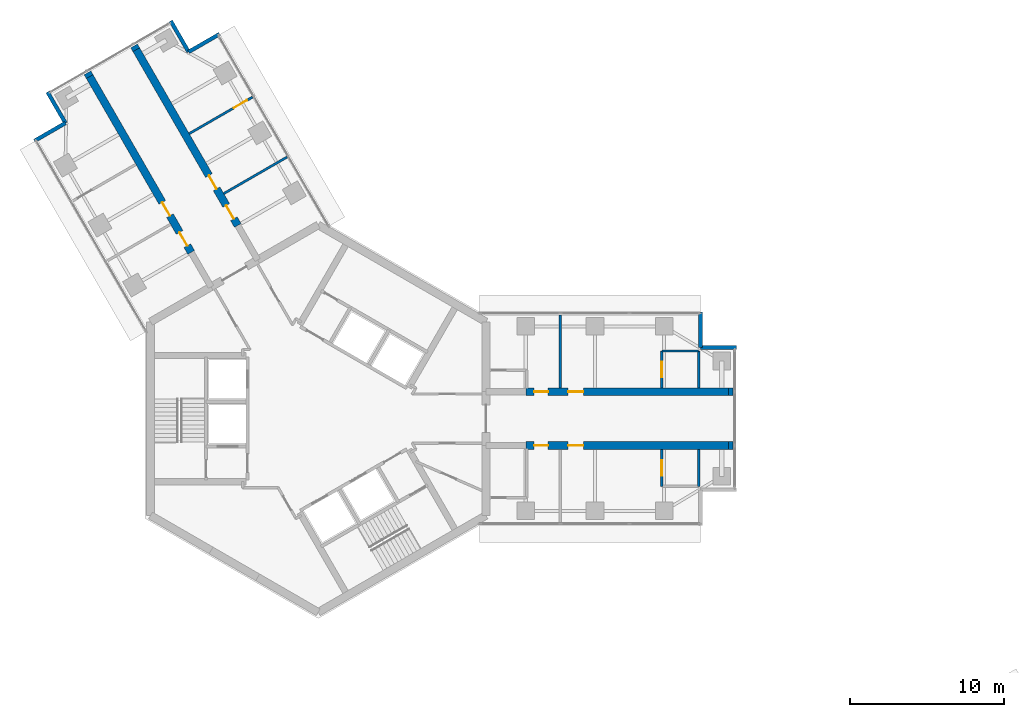
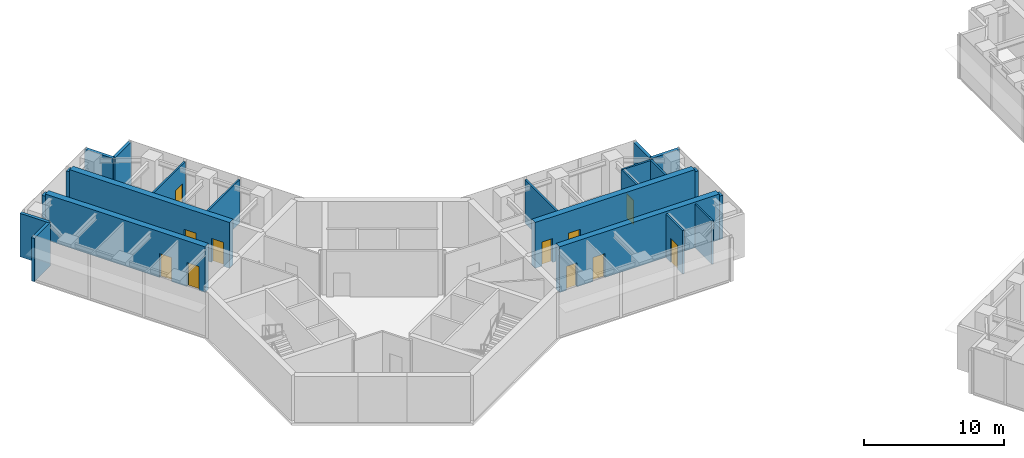
# One storey, part 13 of 17: 22 walls, 11 doors, 11 openings.
"""IFC4 building model written with IfcOpenShell, lengths in metres."""

from ifc_helpers import new_model, si_unit, direction, frame, frame_2d, origin, place, context, subcontext, project, spatial, rectangle, extrude, material, layer, layer_set, type_object, element, fill, save


model = new_model("IFC4")

# Units and contexts
model_context = context("Model", 3, precision=1e-05, world=origin(), true_north=direction((0.0, 1.0)))
body_context = subcontext(model_context, "Body", "Model", "MODEL_VIEW")
ifc_project = project(units=[si_unit("LENGTHUNIT", "METRE"), si_unit("AREAUNIT", "SQUARE_METRE"), si_unit("VOLUMEUNIT", "CUBIC_METRE"), si_unit("PLANEANGLEUNIT", "RADIAN"), si_unit("MASSUNIT", "GRAM", prefix="KILO")], contexts=[model_context])

# Site, building, storey
site_placement = place(None, origin())
site = spatial("IfcSite", under=ifc_project, at=site_placement, CompositionType="ELEMENT")
building_placement = place(site_placement, origin())
building = spatial("IfcBuilding", under=site, at=building_placement, Name="Upepo Twin Towers", CompositionType="ELEMENT")
storey_placement = place(building_placement, frame((0.0, 0.0, 198.5)))
storey = spatial("IfcBuildingStorey", under=building, at=storey_placement, Name="L48", CompositionType="ELEMENT", Elevation=198.5)

# Walls
ifc_material_1 = material(Name="Dense concrete blockwork", Category="masonry")
ifc_layer_1 = layer(ifc_material_1, 0.5)
ifc_layer_set_1 = layer_set([ifc_layer_1], Name="Buttress closer 500, blockwork with fire-stopping to the curtain wall")
wall_type_1 = type_object("IfcWallType", Name="Buttress closer 500, blockwork with fire-stopping to the curtain wall", PredefinedType="PARTITIONING", material=ifc_layer_set_1)
for number, where, z_axis, x_axis, name in (
    (1, (26.699951171875, 1.75, 0.0), (0.0, 0.0, 1.0), (1.0, 0.0, 0.0), "T1 L48 wing A buttress closer L"),
    (2, (26.699951171875, -1.75, 0.0), (0.0, 0.0, 1.0), (1.0, 0.0, 0.0), "T1 L48 wing A buttress closer R"),
    (3, (-14.865478515625, 22.247802734375, 0.0), (0.0, 0.0, 1.0), (-0.500065409566, 0.86598763626, 0.0), "T1 L48 wing B buttress closer L"),
    (4, (-11.83447265625, 23.997802734375, 0.0), (0.0, 0.0, 1.0), (-0.500065409566, 0.86598763626, 0.0), "T1 L48 wing B buttress closer R"),
):
    element("IfcWall", number, at=place(storey_placement, frame(where, z_axis=z_axis, x_axis=x_axis)), inside=storey, type_object=wall_type_1, Name=name, PredefinedType="PARTITIONING", context=body_context, shape_type="SweptSolid", body=[
        extrude(rectangle(XDim=0.28759765625, YDim=0.5, at=frame_2d((0.143798828125, 0.0))), origin(), (0.0, 0.0, 1.0), 3.800048828125),
    ])

# Wall, openings, doors
ifc_material_2 = material(Name="Concrete C60/75", Category="concrete")
ifc_layer_2 = layer(ifc_material_2, 0.5)
ifc_layer_set_2 = layer_set([ifc_layer_2], Name="Concrete C60/75")
wall_type_2 = type_object("IfcWallType", Name="Buttress wall 500 RC", PredefinedType="SHEAR", material=ifc_layer_set_2)
wall_1_placement = place(storey_placement, frame((13.5, 1.75, 0.0), z_axis=(0.0, 0.0, 1.0), x_axis=(1.0, 0.0, 0.0)))
wall_1 = element("IfcWall", 5, at=wall_1_placement, inside=storey, type_object=wall_type_2, Name="T1 wing A buttress wall L part 2", PredefinedType="SHEAR", context=body_context, shape_type="SweptSolid", body=[
    extrude(rectangle(XDim=13.199951171875, YDim=0.5, at=frame_2d((6.60009765625, 0.0))), origin(), (0.0, 0.0, 1.0), 4.0),
])
opening_1_placement = place(wall_1_placement, frame((0.550048828125, 0.0, 0.0)))
opening_1 = element("IfcOpeningElement", 6, at=opening_1_placement, cuts=wall_1, Name="Opening D11", PredefinedType="OPENING", context=body_context, shape_type="SweptSolid", body=[
    extrude(rectangle(XDim=0.89990234375, YDim=2.10009765625, at=frame_2d((0.449951171875, 1.050048828125))), frame((0.0, 0.260009765625, 0.0), z_axis=(0.0, -1.0, 0.0), x_axis=(1.0, 0.0, 0.0)), (0.0, 0.0, 1.0), 0.52001953125),
])
opening_2_placement = place(wall_1_placement, frame((2.75, 0.0, 0.0)))
opening_2 = element("IfcOpeningElement", 7, at=opening_2_placement, cuts=wall_1, Name="Opening D1", PredefinedType="OPENING", context=body_context, shape_type="SweptSolid", body=[
    extrude(rectangle(XDim=1.0, YDim=2.10009765625, at=frame_2d((0.5, 1.050048828125))), frame((0.0, 0.260009765625, 0.0), z_axis=(0.0, -1.0, 0.0), x_axis=(1.0, 0.0, 0.0)), (0.0, 0.0, 1.0), 0.52001953125),
])
ifc_material_3 = material(Name="Timber doorset", Category="wood")
door_type_1 = type_object("IfcDoorType", Name="Room door 1000 FD30", OperationType="SINGLE_SWING_LEFT", PredefinedType="DOOR", material=ifc_material_3)
door_1_placement = place(opening_2_placement, origin())
door_1 = element("IfcDoor", 8, at=door_1_placement, inside=storey, type_object=door_type_1, Name="T1 L48 engineering studio door", OperationType="SINGLE_SWING_LEFT", OverallHeight=2.10009765625, OverallWidth=1.0, PredefinedType="DOOR", context=body_context, shape_type="SweptSolid", body=[
    extrude(rectangle(XDim=1.0, YDim=2.10009765625, at=frame_2d((0.5, 1.050048828125))), frame((0.0, 0.02490234375, 0.0), z_axis=(0.0, -1.0, 0.0), x_axis=(1.0, 0.0, 0.0)), (0.0, 0.0, 1.0), 0.050048828125),
])
fill(opening_2, door_1)
ifc_material_4 = material(Name="Timber doorset", Category="wood")
door_type_2 = type_object("IfcDoorType", Name="Toilet door 900", OperationType="SINGLE_SWING_LEFT", PredefinedType="DOOR", material=ifc_material_4)
door_2_placement = place(opening_1_placement, origin())
door_2 = element("IfcDoor", 9, at=door_2_placement, inside=storey, type_object=door_type_2, Name="T1 L48 toilets door", OperationType="SINGLE_SWING_LEFT", OverallHeight=2.10009765625, OverallWidth=0.89990234375, PredefinedType="DOOR", context=body_context, shape_type="SweptSolid", body=[
    extrude(rectangle(XDim=0.89990234375, YDim=2.10009765625, at=frame_2d((0.449951171875, 1.050048828125))), frame((0.0, 0.02490234375, 0.0), z_axis=(0.0, -1.0, 0.0), x_axis=(1.0, 0.0, 0.0)), (0.0, 0.0, 1.0), 0.050048828125),
])
fill(opening_1, door_2)

wall_2_placement = place(storey_placement, frame((13.5, -1.75, 0.0), z_axis=(0.0, 0.0, 1.0), x_axis=(1.0, 0.0, 0.0)))
wall_2 = element("IfcWall", 10, at=wall_2_placement, inside=storey, type_object=wall_type_2, Name="T1 wing A buttress wall R part 2", PredefinedType="SHEAR", context=body_context, shape_type="SweptSolid", body=[
    extrude(rectangle(XDim=13.199951171875, YDim=0.5, at=frame_2d((6.60009765625, 0.0))), origin(), (0.0, 0.0, 1.0), 4.0),
])
opening_3_placement = place(wall_2_placement, frame((0.550048828125, 0.0, 0.0)))
opening_3 = element("IfcOpeningElement", 11, at=opening_3_placement, cuts=wall_2, Name="Opening D11", PredefinedType="OPENING", context=body_context, shape_type="SweptSolid", body=[
    extrude(rectangle(XDim=0.89990234375, YDim=2.10009765625, at=frame_2d((0.449951171875, 1.050048828125))), frame((0.0, 0.260009765625, 0.0), z_axis=(0.0, -1.0, 0.0), x_axis=(1.0, 0.0, 0.0)), (0.0, 0.0, 1.0), 0.52001953125),
])
opening_4_placement = place(wall_2_placement, frame((2.75, 0.0, 0.0)))
opening_4 = element("IfcOpeningElement", 12, at=opening_4_placement, cuts=wall_2, Name="Opening D1", PredefinedType="OPENING", context=body_context, shape_type="SweptSolid", body=[
    extrude(rectangle(XDim=1.0, YDim=2.10009765625, at=frame_2d((0.5, 1.050048828125))), frame((0.0, 0.260009765625, 0.0), z_axis=(0.0, -1.0, 0.0), x_axis=(1.0, 0.0, 0.0)), (0.0, 0.0, 1.0), 0.52001953125),
])
door_3_placement = place(opening_4_placement, origin())
door_3 = element("IfcDoor", 13, at=door_3_placement, inside=storey, type_object=door_type_1, Name="T1 L48 engineering studio door", OperationType="SINGLE_SWING_LEFT", OverallHeight=2.10009765625, OverallWidth=1.0, PredefinedType="DOOR", context=body_context, shape_type="SweptSolid", body=[
    extrude(rectangle(XDim=1.0, YDim=2.10009765625, at=frame_2d((0.5, 1.050048828125))), frame((0.0, 0.02490234375, 0.0), z_axis=(0.0, -1.0, 0.0), x_axis=(1.0, 0.0, 0.0)), (0.0, 0.0, 1.0), 0.050048828125),
])
fill(opening_4, door_3)
door_4_placement = place(opening_3_placement, origin())
door_4 = element("IfcDoor", 14, at=door_4_placement, inside=storey, type_object=door_type_2, Name="T1 L48 accessible wc door", OperationType="SINGLE_SWING_LEFT", OverallHeight=2.10009765625, OverallWidth=0.89990234375, PredefinedType="DOOR", context=body_context, shape_type="SweptSolid", body=[
    extrude(rectangle(XDim=0.89990234375, YDim=2.10009765625, at=frame_2d((0.449951171875, 1.050048828125))), frame((0.0, 0.02490234375, 0.0), z_axis=(0.0, -1.0, 0.0), x_axis=(1.0, 0.0, 0.0)), (0.0, 0.0, 1.0), 0.050048828125),
])
fill(opening_3, door_4)

wall_3_placement = place(storey_placement, frame((-8.265625, 10.81640625, 0.0), z_axis=(0.0, 0.0, 1.0), x_axis=(-0.499996231654, 0.866027579429, 0.0)))
wall_3 = element("IfcWall", 15, at=wall_3_placement, inside=storey, type_object=wall_type_2, Name="T1 wing B buttress wall L part 2", PredefinedType="SHEAR", context=body_context, shape_type="SweptSolid", body=[
    extrude(rectangle(XDim=13.19970703125, YDim=0.5, at=frame_2d((6.599853515625, 0.0))), origin(), (0.0, 0.0, 1.0), 4.0),
])
opening_5_placement = place(wall_3_placement, frame((0.5, 0.0, 0.0)))
opening_5 = element("IfcOpeningElement", 16, at=opening_5_placement, cuts=wall_3, Name="Opening D1", PredefinedType="OPENING", context=body_context, shape_type="SweptSolid", body=[
    extrude(rectangle(XDim=1.0, YDim=2.10009765625, at=frame_2d((0.5, 1.050048828125))), frame((0.0, 0.260009765625, 0.0), z_axis=(0.0, -1.0, 0.0), x_axis=(1.0, 0.0, 0.0)), (0.0, 0.0, 1.0), 0.52001953125),
])
opening_6_placement = place(wall_3_placement, frame((2.75, 0.0, 0.0)))
opening_6 = element("IfcOpeningElement", 17, at=opening_6_placement, cuts=wall_3, Name="Opening D1", PredefinedType="OPENING", context=body_context, shape_type="SweptSolid", body=[
    extrude(rectangle(XDim=1.0, YDim=2.10009765625, at=frame_2d((0.5, 1.050048828125))), frame((0.0, 0.260009765625, 0.0), z_axis=(0.0, -1.0, 0.0), x_axis=(1.0, 0.0, 0.0)), (0.0, 0.0, 1.0), 0.52001953125),
])
door_5_placement = place(opening_5_placement, origin())
door_5 = element("IfcDoor", 18, at=door_5_placement, inside=storey, type_object=door_type_1, Name="T1 L48 seminar room door", OperationType="SINGLE_SWING_LEFT", OverallHeight=2.10009765625, OverallWidth=1.0, PredefinedType="DOOR", context=body_context, shape_type="SweptSolid", body=[
    extrude(rectangle(XDim=1.0, YDim=2.10009765625, at=frame_2d((0.5, 1.050048828125))), frame((0.0, 0.02490234375, 0.0), z_axis=(0.0, -1.0, 0.0), x_axis=(1.0, 0.0, 0.0)), (0.0, 0.0, 1.0), 0.050048828125),
])
fill(opening_5, door_5)
door_6_placement = place(opening_6_placement, origin())
door_6 = element("IfcDoor", 19, at=door_6_placement, inside=storey, type_object=door_type_1, Name="T1 L48 staff office door", OperationType="SINGLE_SWING_LEFT", OverallHeight=2.10009765625, OverallWidth=1.0, PredefinedType="DOOR", context=body_context, shape_type="SweptSolid", body=[
    extrude(rectangle(XDim=1.0, YDim=2.10009765625, at=frame_2d((0.5, 1.050048828125))), frame((0.0, 0.02490234375, 0.0), z_axis=(0.0, -1.0, 0.0), x_axis=(1.0, 0.0, 0.0)), (0.0, 0.0, 1.0), 0.050048828125),
])
fill(opening_6, door_6)

wall_4_placement = place(storey_placement, frame((-5.234375, 12.56640625, 0.0), z_axis=(0.0, 0.0, 1.0), x_axis=(-0.500010103361, 0.866019570528, 0.0)))
wall_4 = element("IfcWall", 20, at=wall_4_placement, inside=storey, type_object=wall_type_2, Name="T1 wing B buttress wall R part 2", PredefinedType="SHEAR", context=body_context, shape_type="SweptSolid", body=[
    extrude(rectangle(XDim=13.199951171875, YDim=0.5, at=frame_2d((6.60009765625, 0.0))), origin(), (0.0, 0.0, 1.0), 4.0),
])
opening_7_placement = place(wall_4_placement, frame((0.5, 0.0, 0.0)))
opening_7 = element("IfcOpeningElement", 21, at=opening_7_placement, cuts=wall_4, Name="Opening D1", PredefinedType="OPENING", context=body_context, shape_type="SweptSolid", body=[
    extrude(rectangle(XDim=1.0, YDim=2.10009765625, at=frame_2d((0.5, 1.050048828125))), frame((0.0, 0.260009765625, 0.0), z_axis=(0.0, -1.0, 0.0), x_axis=(1.0, 0.0, 0.0)), (0.0, 0.0, 1.0), 0.52001953125),
])
opening_8_placement = place(wall_4_placement, frame((2.75, 0.0, 0.0)))
opening_8 = element("IfcOpeningElement", 22, at=opening_8_placement, cuts=wall_4, Name="Opening D1", PredefinedType="OPENING", context=body_context, shape_type="SweptSolid", body=[
    extrude(rectangle(XDim=1.0, YDim=2.10009765625, at=frame_2d((0.5, 1.050048828125))), frame((0.0, 0.260009765625, 0.0), z_axis=(0.0, -1.0, 0.0), x_axis=(1.0, 0.0, 0.0)), (0.0, 0.0, 1.0), 0.52001953125),
])
door_7_placement = place(opening_7_placement, origin())
door_7 = element("IfcDoor", 23, at=door_7_placement, inside=storey, type_object=door_type_1, Name="T1 L48 computing laboratory door", OperationType="SINGLE_SWING_LEFT", OverallHeight=2.10009765625, OverallWidth=1.0, PredefinedType="DOOR", context=body_context, shape_type="SweptSolid", body=[
    extrude(rectangle(XDim=1.0, YDim=2.10009765625, at=frame_2d((0.5, 1.050048828125))), frame((0.0, 0.02490234375, 0.0), z_axis=(0.0, -1.0, 0.0), x_axis=(1.0, 0.0, 0.0)), (0.0, 0.0, 1.0), 0.050048828125),
])
fill(opening_7, door_7)
door_8_placement = place(opening_8_placement, origin())
door_8 = element("IfcDoor", 24, at=door_8_placement, inside=storey, type_object=door_type_1, Name="T1 L48 seminar room door", OperationType="SINGLE_SWING_LEFT", OverallHeight=2.10009765625, OverallWidth=1.0, PredefinedType="DOOR", context=body_context, shape_type="SweptSolid", body=[
    extrude(rectangle(XDim=1.0, YDim=2.10009765625, at=frame_2d((0.5, 1.050048828125))), frame((0.0, 0.02490234375, 0.0), z_axis=(0.0, -1.0, 0.0), x_axis=(1.0, 0.0, 0.0)), (0.0, 0.0, 1.0), 0.050048828125),
])
fill(opening_8, door_8)

# Walls
ifc_material_5 = material(Name="Blockwork with anodised aluminium cladding", Category="masonry")
ifc_layer_3 = layer(ifc_material_5, 0.25)
ifc_layer_set_3 = layer_set([ifc_layer_3], Name="Notch cladding wall 250, pale metal")
wall_type_3 = type_object("IfcWallType", Name="Notch cladding wall 250, pale metal", PredefinedType="STANDARD", material=ifc_layer_set_3)
for number, where, z_axis, x_axis, name in (
    (25, (24.875, 6.949951171875, 0.0), (0.0, 0.0, 1.0), (0.0, -1.0, 0.0), "T1 L48 wing A notch wall L1"),
    (26, (24.875, 4.625, 0.0), (0.0, 0.0, 1.0), (1.0, 0.0, 0.0), "T1 L48 wing A notch wall L2"),
    (27, (-18.456298828125, 18.0673828125, 0.0), (0.0, 0.0, 1.0), (0.865998469481, 0.500046648681, 0.0), "T1 L48 wing B notch wall L1"),
    (28, (-16.44287109375, 19.22998046875, 0.0), (0.0, 0.0, 1.0), (-0.500046648681, 0.865998469481, 0.0), "T1 L48 wing B notch wall L2"),
    (29, (-6.418701171875, 25.017333984375, 0.0), (0.0, 0.0, 1.0), (-0.866043940782, -0.499967891604, 0.0), "T1 L48 wing B notch wall R1"),
    (30, (-8.43212890625, 23.85498046875, 0.0), (0.0, 0.0, 1.0), (-0.500046648681, 0.865998469481, 0.0), "T1 L48 wing B notch wall R2"),
):
    element("IfcWall", number, at=place(storey_placement, frame(where, z_axis=z_axis, x_axis=x_axis)), inside=storey, type_object=wall_type_3, Name=name, PredefinedType="STANDARD", context=body_context, shape_type="SweptSolid", body=[
        extrude(rectangle(XDim=2.324951171875, YDim=0.25, at=frame_2d((1.16259765625, 0.0))), origin(), (0.0, 0.0, 1.0), 3.800048828125),
    ])
ifc_material_6 = material(Name="Gypsum board on steel studs", Category="steel")
ifc_layer_4 = layer(ifc_material_6, 0.14990234375)
ifc_layer_set_4 = layer_set([ifc_layer_4], Name="Teaching partition 150 acoustic")
wall_type_4 = type_object("IfcWallType", Name="Teaching partition 150 acoustic", PredefinedType="PARTITIONING", material=ifc_layer_set_4)
wall_5_placement = place(storey_placement, frame((15.75, 2.0, 0.0), z_axis=(0.0, 0.0, 1.0), x_axis=(0.0, 1.0, 0.0)))
element("IfcWall", 31, at=wall_5_placement, inside=storey, type_object=wall_type_4, Name="T1 partition AL at 15.75", PredefinedType="PARTITIONING", context=body_context, shape_type="SweptSolid", body=[
    extrude(rectangle(XDim=4.75, YDim=0.14990234375, at=frame_2d((2.375, 0.0))), origin(), (0.0, 0.0, 1.0), 3.800048828125),
])
wall_6_placement = place(storey_placement, frame((22.35009765625, 4.39990234375, 0.0), z_axis=(0.0, 0.0, 1.0), x_axis=(1.0, 0.0, 0.0)))
element("IfcWall", 32, at=wall_6_placement, inside=storey, type_object=wall_type_4, Name="T1 inner room partition AL at 22.35", PredefinedType="PARTITIONING", context=body_context, shape_type="SweptSolid", body=[
    extrude(rectangle(XDim=2.39990234375, YDim=0.14990234375, at=frame_2d((1.199951171875, 0.0))), origin(), (0.0, 0.0, 1.0), 3.800048828125),
])

# Wall, opening, door
wall_7_placement = place(storey_placement, frame((22.35009765625, 2.0, 0.0), z_axis=(0.0, 0.0, 1.0), x_axis=(0.0, 1.0, 0.0)))
wall_7 = element("IfcWall", 33, at=wall_7_placement, inside=storey, type_object=wall_type_4, Name="T1 inner room partition AL end at 22.35", PredefinedType="PARTITIONING", context=body_context, shape_type="SweptSolid", body=[
    extrude(rectangle(XDim=2.39990234375, YDim=0.14990234375, at=frame_2d((1.199951171875, 0.0))), origin(), (0.0, 0.0, 1.0), 3.800048828125),
])
opening_9_placement = place(wall_7_placement, frame((0.699951171875, 0.0, 0.0)))
opening_9 = element("IfcOpeningElement", 34, at=opening_9_placement, cuts=wall_7, Name="Opening D1", PredefinedType="OPENING", context=body_context, shape_type="SweptSolid", body=[
    extrude(rectangle(XDim=1.0, YDim=2.10009765625, at=frame_2d((0.5, 1.050048828125))), frame((0.0, 0.0849609375, 0.0), z_axis=(0.0, -1.0, 0.0), x_axis=(1.0, 0.0, 0.0)), (0.0, 0.0, 1.0), 0.169921875),
])
door_9_placement = place(opening_9_placement, origin())
door_9 = element("IfcDoor", 35, at=door_9_placement, inside=storey, type_object=door_type_1, Name="T1 L48 inner room door", OperationType="SINGLE_SWING_LEFT", OverallHeight=2.10009765625, OverallWidth=1.0, PredefinedType="DOOR", context=body_context, shape_type="SweptSolid", body=[
    extrude(rectangle(XDim=1.0, YDim=2.10009765625, at=frame_2d((0.5, 1.050048828125))), frame((0.0, 0.02490234375, 0.0), z_axis=(0.0, -1.0, 0.0), x_axis=(1.0, 0.0, 0.0)), (0.0, 0.0, 1.0), 0.050048828125),
])
fill(opening_9, door_9)

# Wall
wall_8_placement = place(storey_placement, frame((24.75, 2.0, 0.0), z_axis=(0.0, 0.0, 1.0), x_axis=(0.0, 1.0, 0.0)))
element("IfcWall", 36, at=wall_8_placement, inside=storey, type_object=wall_type_4, Name="T1 inner room partition AL end at 24.75", PredefinedType="PARTITIONING", context=body_context, shape_type="SweptSolid", body=[
    extrude(rectangle(XDim=2.39990234375, YDim=0.14990234375, at=frame_2d((1.199951171875, 0.0))), origin(), (0.0, 0.0, 1.0), 3.800048828125),
])

# Wall, opening, door
wall_9_placement = place(storey_placement, frame((22.35009765625, -2.0, 0.0), z_axis=(0.0, 0.0, 1.0), x_axis=(0.0, -1.0, 0.0)))
wall_9 = element("IfcWall", 37, at=wall_9_placement, inside=storey, type_object=wall_type_4, Name="T1 inner room partition AR end at 22.35", PredefinedType="PARTITIONING", context=body_context, shape_type="SweptSolid", body=[
    extrude(rectangle(XDim=2.39990234375, YDim=0.14990234375, at=frame_2d((1.199951171875, 0.0))), origin(), (0.0, 0.0, 1.0), 3.800048828125),
])
opening_10_placement = place(wall_9_placement, frame((0.699951171875, 0.0, 0.0)))
opening_10 = element("IfcOpeningElement", 38, at=opening_10_placement, cuts=wall_9, Name="Opening D1", PredefinedType="OPENING", context=body_context, shape_type="SweptSolid", body=[
    extrude(rectangle(XDim=1.0, YDim=2.10009765625, at=frame_2d((0.5, 1.050048828125))), frame((0.0, 0.0849609375, 0.0), z_axis=(0.0, -1.0, 0.0), x_axis=(1.0, 0.0, 0.0)), (0.0, 0.0, 1.0), 0.169921875),
])
door_10_placement = place(opening_10_placement, origin())
door_10 = element("IfcDoor", 39, at=door_10_placement, inside=storey, type_object=door_type_1, Name="T1 L48 inner room door", OperationType="SINGLE_SWING_LEFT", OverallHeight=2.10009765625, OverallWidth=1.0, PredefinedType="DOOR", context=body_context, shape_type="SweptSolid", body=[
    extrude(rectangle(XDim=1.0, YDim=2.10009765625, at=frame_2d((0.5, 1.050048828125))), frame((0.0, 0.02490234375, 0.0), z_axis=(0.0, -1.0, 0.0), x_axis=(1.0, 0.0, 0.0)), (0.0, 0.0, 1.0), 0.050048828125),
])
fill(opening_10, door_10)

# Walls
wall_10_placement = place(storey_placement, frame((24.75, -2.0, 0.0), z_axis=(0.0, 0.0, 1.0), x_axis=(0.0, -1.0, 0.0)))
element("IfcWall", 40, at=wall_10_placement, inside=storey, type_object=wall_type_4, Name="T1 inner room partition AR end at 24.75", PredefinedType="PARTITIONING", context=body_context, shape_type="SweptSolid", body=[
    extrude(rectangle(XDim=2.39990234375, YDim=0.14990234375, at=frame_2d((1.199951171875, 0.0))), origin(), (0.0, 0.0, 1.0), 3.800048828125),
])
wall_11_placement = place(storey_placement, frame((-6.14306640625, 14.639892578125, 0.0), z_axis=(0.0, 0.0, 1.0), x_axis=(0.866033238375, 0.499986429846, 0.0)))
element("IfcWall", 41, at=wall_11_placement, inside=storey, type_object=wall_type_4, Name="T1 partition BR at 15.75", PredefinedType="PARTITIONING", context=body_context, shape_type="SweptSolid", body=[
    extrude(rectangle(XDim=4.750244140625, YDim=0.14990234375, at=frame_2d((2.375, 0.0))), origin(), (0.0, 0.0, 1.0), 3.800048828125),
])

# Wall, opening, door
wall_12_placement = place(storey_placement, frame((-8.39306640625, 18.537109375, 0.0), z_axis=(0.0, 0.0, 1.0), x_axis=(0.866033238375, 0.499986429846, 0.0)))
wall_12 = element("IfcWall", 42, at=wall_12_placement, inside=storey, type_object=wall_type_4, Name="T1 partition BR at 20.25", PredefinedType="PARTITIONING", context=body_context, shape_type="SweptSolid", body=[
    extrude(rectangle(XDim=4.750244140625, YDim=0.14990234375, at=frame_2d((2.375, 0.0))), origin(), (0.0, 0.0, 1.0), 3.800048828125),
])
opening_11_placement = place(wall_12_placement, frame((3.35009765625, 0.0, 0.0)))
opening_11 = element("IfcOpeningElement", 43, at=opening_11_placement, cuts=wall_12, Name="Opening D1", PredefinedType="OPENING", context=body_context, shape_type="SweptSolid", body=[
    extrude(rectangle(XDim=1.0, YDim=2.10009765625, at=frame_2d((0.5, 1.050048828125))), frame((0.0, 0.0849609375, 0.0), z_axis=(0.0, -1.0, 0.0), x_axis=(1.0, 0.0, 0.0)), (0.0, 0.0, 1.0), 0.169921875),
])
door_11_placement = place(opening_11_placement, origin())
door_11 = element("IfcDoor", 44, at=door_11_placement, inside=storey, type_object=door_type_1, Name="T1 L48 connecting door", OperationType="SINGLE_SWING_RIGHT", OverallHeight=2.10009765625, OverallWidth=1.0, PredefinedType="DOOR", context=body_context, shape_type="SweptSolid", body=[
    extrude(rectangle(XDim=1.0, YDim=2.10009765625, at=frame_2d((0.5, 1.050048828125))), frame((0.0, 0.02490234375, 0.0), z_axis=(0.0, -1.0, 0.0), x_axis=(1.0, 0.0, 0.0)), (0.0, 0.0, 1.0), 0.050048828125),
])
fill(opening_11, door_11)

save(model, "model.ifc")
